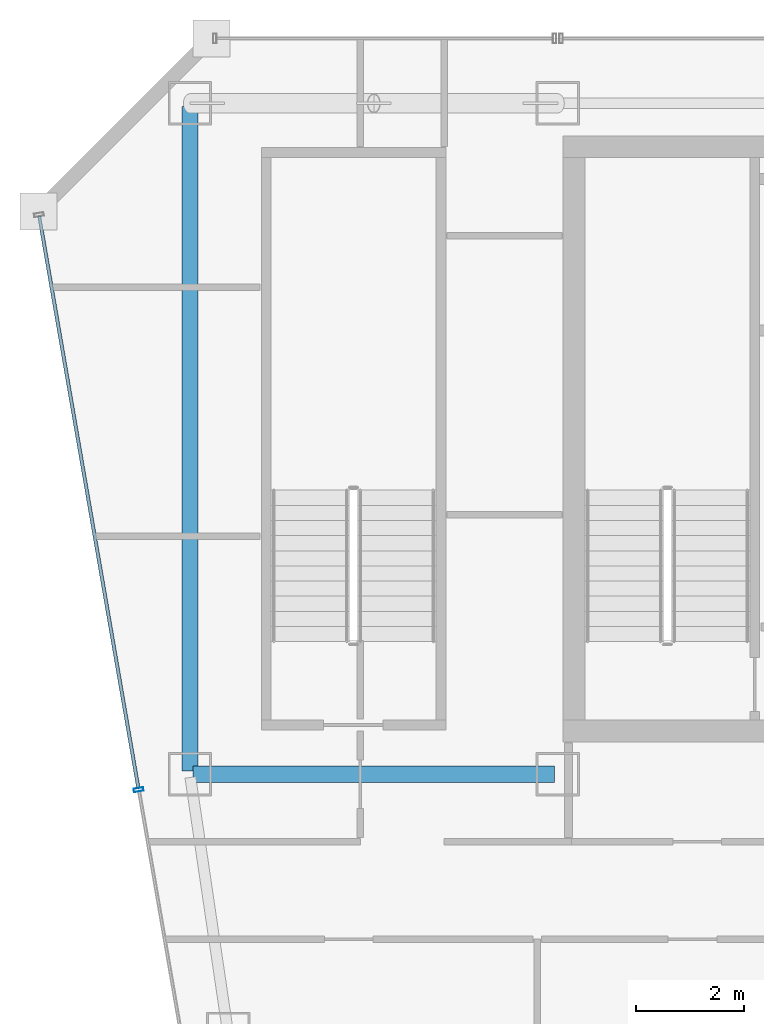
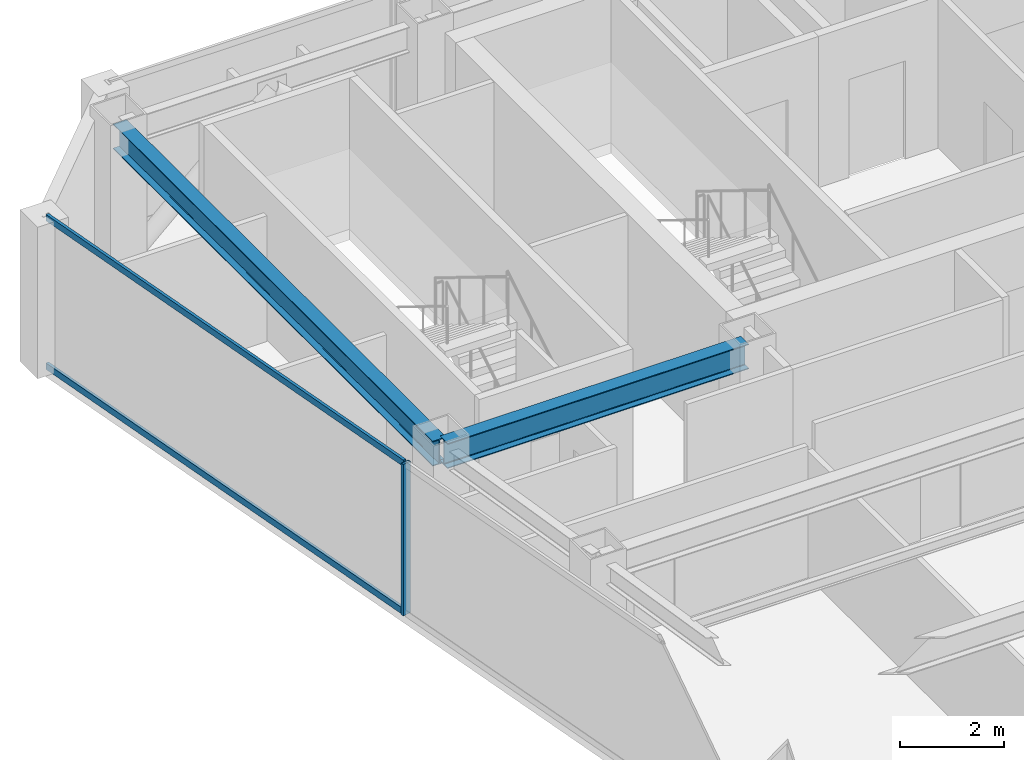
# One storey, part 8 of 32: 3 members, 2 beams, 1 element without a shape of its own.
"""IFC4 building model written with IfcOpenShell, lengths in metres."""

from ifc_helpers import new_model, si_unit, direction, frame, origin, origin_2d, place, context, subcontext, project, spatial, hollow_rectangle, i_section, extrude, material, material_profile, profile_set, type_object, element, aggregate, save


model = new_model("IFC4")

# Units and contexts
model_context = context("Model", 3, precision=1e-05, world=origin(), true_north=direction((0.0, 1.0)))
body_context = subcontext(model_context, "Body", "Model", "MODEL_VIEW")
ifc_project = project(units=[si_unit("LENGTHUNIT", "METRE"), si_unit("AREAUNIT", "SQUARE_METRE"), si_unit("VOLUMEUNIT", "CUBIC_METRE"), si_unit("PLANEANGLEUNIT", "RADIAN"), si_unit("MASSUNIT", "GRAM", prefix="KILO")], contexts=[model_context])

# Site, building, storey
site_placement = place(None, origin())
site = spatial("IfcSite", under=ifc_project, at=site_placement, CompositionType="ELEMENT")
building_placement = place(site_placement, origin())
building = spatial("IfcBuilding", under=site, at=building_placement, Name="Saevonmaru Cultural Tower", CompositionType="ELEMENT")
storey_placement = place(building_placement, frame((0.0, 0.0, 245.800048828125)))
storey = spatial("IfcBuildingStorey", under=building, at=storey_placement, Name="L57", CompositionType="ELEMENT", Elevation=245.800048828125)

# Beams
ifc_material_1 = material(Name="Steel SM355", Category="steel")
ifc_material_profile_1 = material_profile(ifc_material_1, i_section(OverallWidth=0.300048828125, OverallDepth=0.587890625, WebThickness=0.011962890625, FlangeThickness=0.02001953125, FilletRadius=0.02392578125, at=origin_2d()), Name="H-588x300x12x20")
ifc_profile_set_1 = profile_set([ifc_material_profile_1], Name="Steel SM355")
beam_type = type_object("IfcBeamType", Name="BM-G-H588", PredefinedType="BEAM", material=ifc_profile_set_1)
beam_1_placement = place(storey_placement, frame((6.860107421875, 42.39990234375, 3.255859375), z_axis=(1.0, 0.0, 0.0), x_axis=(0.0, 1.0, 0.0)))
element("IfcBeam", 1, at=beam_1_placement, inside=storey, type_object=beam_type, Name="L57 Core South Girder 1", PredefinedType="BEAM", context=body_context, shape_type="SweptSolid", body=[
    extrude(i_section(OverallWidth=0.300048828125, OverallDepth=0.587890625, WebThickness=0.011962890625, FlangeThickness=0.02001953125, FilletRadius=0.02392578125, at=origin_2d()), origin(), (0.0, 0.0, 1.0), 6.679931640625),
])
beam_2_placement = place(storey_placement, frame((6.800048828125, 54.739990234375, 3.255859375), z_axis=(0.0, -1.0, 0.0), x_axis=(1.0, 0.0, 0.0)))
element("IfcBeam", 2, at=beam_2_placement, inside=storey, type_object=beam_type, Name="L57 Spine Transverse Girder W", PredefinedType="BEAM", context=body_context, shape_type="SweptSolid", body=[
    extrude(i_section(OverallWidth=0.300048828125, OverallDepth=0.587890625, WebThickness=0.011962890625, FlangeThickness=0.02001953125, FilletRadius=0.02392578125, at=origin_2d()), origin(), (0.0, 0.0, 1.0), 12.280029296875),
])

# Curtain wall, members
ifc_material_2 = material(Name="Satin Bronze Anodised Aluminium", Category="aluminium")
curtain_wall_type = type_object("IfcCurtainWallType", Name="CW-TYP-B", PredefinedType="NOTDEFINED", material=ifc_material_2)
curtain_wall_placement = place(storey_placement, origin())
curtain_wall = element("IfcCurtainWall", 3, at=curtain_wall_placement, inside=storey, type_object=curtain_wall_type, Name="L57 Unitised Curtain Wall E12", PredefinedType="NOTDEFINED")
ifc_material_profile_2 = material_profile(ifc_material_2, hollow_rectangle(XDim=0.06494140625, YDim=0.179931640625, WallThickness=0.00390625, at=origin_2d()), Name="ALU-MULL-180x65x4")
ifc_profile_set_2 = profile_set([ifc_material_profile_2], Name="Satin Bronze Anodised Aluminium")
member_type_1 = type_object("IfcMemberType", Name="ML-CW-180x65", PredefinedType="MULLION", material=ifc_profile_set_2)
member_1_placement = place(storey_placement, frame((5.852294921875, 42.113525390625, 0.0), z_axis=(0.0, 0.0, 1.0), x_axis=(0.170790369887, -0.985307388359, 0.0)))
member_1 = element("IfcMember", 4, at=member_1_placement, type_object=member_type_1, Name="CW-TW-L57-E12 mullion 2", PredefinedType="MULLION", context=body_context, shape_type="SweptSolid", body=[
    extrude(hollow_rectangle(XDim=0.06494140625, YDim=0.179931640625, WallThickness=0.00390625, at=origin_2d()), origin(), (0.0, 0.0, 1.0), 3.550048828125),
])
ifc_material_profile_3 = material_profile(ifc_material_2, hollow_rectangle(XDim=0.06494140625, YDim=0.14990234375, WallThickness=0.00390625, at=origin_2d()), Name="ALU-TRAN-150x65x4")
ifc_profile_set_3 = profile_set([ifc_material_profile_3], Name="Satin Bronze Anodised Aluminium")
member_type_2 = type_object("IfcMemberType", Name="TR-CW-150x65", PredefinedType="USERDEFINED", material=ifc_profile_set_3)
member_2_placement = place(storey_placement, frame((4.015869140625, 52.708984375, 0.032470703125), z_axis=(0.170773163608, -0.985310370691, 0.0), x_axis=(0.985310370691, 0.170773163608, 0.0)))
member_2 = element("IfcMember", 5, at=member_2_placement, type_object=member_type_2, Name="CW-TW-L57-E12 transom 1.1", ObjectType="TRANSOM", PredefinedType="USERDEFINED", context=body_context, shape_type="SweptSolid", body=[
    extrude(hollow_rectangle(XDim=0.06494140625, YDim=0.14990234375, WallThickness=0.00390625, at=origin_2d()), origin(), (0.0, 0.0, 1.0), 10.720703125),
])
member_3_placement = place(storey_placement, frame((4.015869140625, 52.708984375, 3.517333984375), z_axis=(0.170773163608, -0.985310370691, 0.0), x_axis=(0.985310370691, 0.170773163608, 0.0)))
member_3 = element("IfcMember", 6, at=member_3_placement, type_object=member_type_2, Name="CW-TW-L57-E12 transom 1.2", ObjectType="TRANSOM", PredefinedType="USERDEFINED", context=body_context, shape_type="SweptSolid", body=[
    extrude(hollow_rectangle(XDim=0.06494140625, YDim=0.14990234375, WallThickness=0.00390625, at=origin_2d()), origin(), (0.0, 0.0, 1.0), 10.720703125),
])
aggregate(curtain_wall, [member_1, member_2, member_3])

save(model, "model.ifc")
